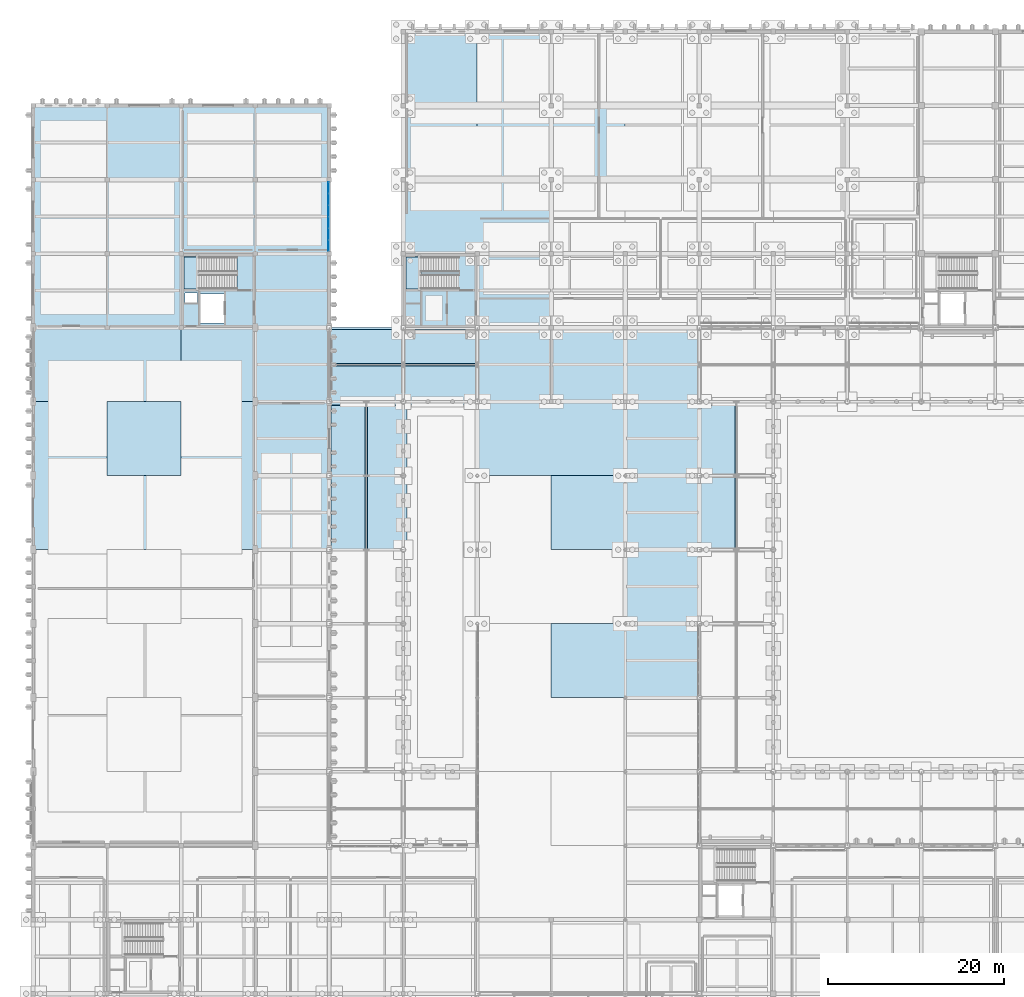
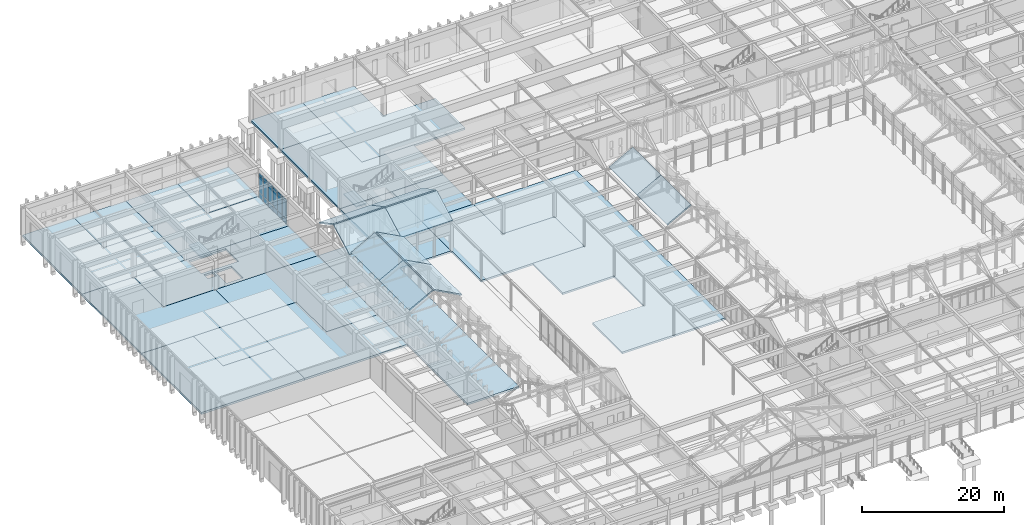
# One storey, part 76 of 143: 30 slabs, 18 plates, 3 elements without a shape of their own.
"""IFC4 building model written with IfcOpenShell, lengths in metres."""

from ifc_helpers import new_model, si_unit, direction, frame, origin, origin_2d, place, context, subcontext, project, spatial, polyline, rectangle, outline, extrude, material, layer, layer_set, type_object, element, aggregate, save


model = new_model("IFC4")

# Units and contexts
model_context = context("Model", 3, precision=1e-05, world=origin(), true_north=direction((0.0, 1.0)))
body_context = subcontext(model_context, "Body", "Model", "MODEL_VIEW")
ifc_project = project(units=[si_unit("LENGTHUNIT", "METRE"), si_unit("AREAUNIT", "SQUARE_METRE"), si_unit("VOLUMEUNIT", "CUBIC_METRE"), si_unit("PLANEANGLEUNIT", "RADIAN"), si_unit("MASSUNIT", "GRAM", prefix="KILO")], contexts=[model_context])

# Site, building, storey
site_placement = place(None, origin())
site = spatial("IfcSite", under=ifc_project, at=site_placement, CompositionType="ELEMENT")
building_placement = place(site_placement, origin())
building = spatial("IfcBuilding", under=site, at=building_placement, Name="Kveldsbrygga Polytechnic", CompositionType="ELEMENT")
storey_placement = place(building_placement, origin())
storey = spatial("IfcBuildingStorey", under=building, at=storey_placement, Name="L00", CompositionType="ELEMENT", Elevation=0.0)

# Curtain wall, plates
ifc_material_1 = material(Name="Anodised aluminium AW-6060", Category="aluminium")
ifc_layer_1 = layer(ifc_material_1, 0.179931640625)
ifc_layer_set_1 = layer_set([ifc_layer_1], Name="Anodised aluminium AW-6060")
curtain_wall_type = type_object("IfcCurtainWallType", Name="CW-CONC-A", PredefinedType="USERDEFINED", material=ifc_layer_set_1)
curtain_wall_placement = place(storey_placement, origin())
curtain_wall = element("IfcCurtainWall", 1, at=curtain_wall_placement, inside=storey, type_object=curtain_wall_type, Name="Curtain Wall CW-L00-Y-04-11", ObjectType="UNITISED CURTAIN WALL", PredefinedType="USERDEFINED")
ifc_material_2 = material(Name="Insulated triple low-E glass", Category="glass")
ifc_layer_2 = layer(ifc_material_2, 0.035888671875)
ifc_layer_set_2 = layer_set([ifc_layer_2], Name="Insulated triple low-E glass")
plate_type = type_object("IfcPlateType", Name="CW-PAN-VIS36", PredefinedType="CURTAIN_PANEL", material=ifc_layer_set_2)
plate_1_placement = place(storey_placement, frame((33.5, 93.31787109375, 0.06005859375), z_axis=(0.0, 0.0, 1.0), x_axis=(0.0, 1.0, 0.0)))
plate_1 = element("IfcPlate", 2, at=plate_1_placement, type_object=plate_type, Name="CW-01 panel 1.1", PredefinedType="CURTAIN_PANEL", context=body_context, shape_type="SweptSolid", body=[
    extrude(rectangle(XDim=1.225830078125, YDim=0.035888671875, at=origin_2d()), origin(), (0.0, 0.0, 1.0), 0.81005859375),
])
plate_2_placement = place(storey_placement, frame((33.5, 93.31787109375, 0.93017578125), z_axis=(0.0, 0.0, 1.0), x_axis=(0.0, 1.0, 0.0)))
plate_2 = element("IfcPlate", 3, at=plate_2_placement, type_object=plate_type, Name="CW-01 panel 1.2", PredefinedType="CURTAIN_PANEL", context=body_context, shape_type="SweptSolid", body=[
    extrude(rectangle(XDim=1.225830078125, YDim=0.035888671875, at=origin_2d()), origin(), (0.0, 0.0, 1.0), 2.840087890625),
])
plate_3_placement = place(storey_placement, frame((33.5, 93.31787109375, 3.830078125), z_axis=(0.0, 0.0, 1.0), x_axis=(0.0, 1.0, 0.0)))
plate_3 = element("IfcPlate", 4, at=plate_3_placement, type_object=plate_type, Name="CW-01 panel 1.3", PredefinedType="CURTAIN_PANEL", context=body_context, shape_type="SweptSolid", body=[
    extrude(rectangle(XDim=1.225830078125, YDim=0.035888671875, at=origin_2d()), origin(), (0.0, 0.0, 1.0), 0.4599609375),
])
plate_4_placement = place(storey_placement, frame((33.5, 94.61865234375, 0.06005859375), z_axis=(0.0, 0.0, 1.0), x_axis=(0.0, 1.0, 0.0)))
plate_4 = element("IfcPlate", 5, at=plate_4_placement, type_object=plate_type, Name="CW-01 panel 2.1", PredefinedType="CURTAIN_PANEL", context=body_context, shape_type="SweptSolid", body=[
    extrude(rectangle(XDim=1.255859375, YDim=0.035888671875, at=origin_2d()), origin(), (0.0, 0.0, 1.0), 0.81005859375),
])
plate_5_placement = place(storey_placement, frame((33.5, 94.61865234375, 0.93017578125), z_axis=(0.0, 0.0, 1.0), x_axis=(0.0, 1.0, 0.0)))
plate_5 = element("IfcPlate", 6, at=plate_5_placement, type_object=plate_type, Name="CW-01 panel 2.2", PredefinedType="CURTAIN_PANEL", context=body_context, shape_type="SweptSolid", body=[
    extrude(rectangle(XDim=1.255859375, YDim=0.035888671875, at=origin_2d()), origin(), (0.0, 0.0, 1.0), 2.840087890625),
])
plate_6_placement = place(storey_placement, frame((33.5, 94.61865234375, 3.830078125), z_axis=(0.0, 0.0, 1.0), x_axis=(0.0, 1.0, 0.0)))
plate_6 = element("IfcPlate", 7, at=plate_6_placement, type_object=plate_type, Name="CW-01 panel 2.3", PredefinedType="CURTAIN_PANEL", context=body_context, shape_type="SweptSolid", body=[
    extrude(rectangle(XDim=1.255859375, YDim=0.035888671875, at=origin_2d()), origin(), (0.0, 0.0, 1.0), 0.4599609375),
])
plate_7_placement = place(storey_placement, frame((33.5, 95.9345703125, 0.06005859375), z_axis=(0.0, 0.0, 1.0), x_axis=(0.0, 1.0, 0.0)))
plate_7 = element("IfcPlate", 8, at=plate_7_placement, type_object=plate_type, Name="CW-01 panel 3.1", PredefinedType="CURTAIN_PANEL", context=body_context, shape_type="SweptSolid", body=[
    extrude(rectangle(XDim=1.255859375, YDim=0.035888671875, at=origin_2d()), origin(), (0.0, 0.0, 1.0), 0.81005859375),
])
plate_8_placement = place(storey_placement, frame((33.5, 95.9345703125, 0.93017578125), z_axis=(0.0, 0.0, 1.0), x_axis=(0.0, 1.0, 0.0)))
plate_8 = element("IfcPlate", 9, at=plate_8_placement, type_object=plate_type, Name="CW-01 panel 3.2", PredefinedType="CURTAIN_PANEL", context=body_context, shape_type="SweptSolid", body=[
    extrude(rectangle(XDim=1.255859375, YDim=0.035888671875, at=origin_2d()), origin(), (0.0, 0.0, 1.0), 2.840087890625),
])
plate_9_placement = place(storey_placement, frame((33.5, 95.9345703125, 3.830078125), z_axis=(0.0, 0.0, 1.0), x_axis=(0.0, 1.0, 0.0)))
plate_9 = element("IfcPlate", 10, at=plate_9_placement, type_object=plate_type, Name="CW-01 panel 3.3", PredefinedType="CURTAIN_PANEL", context=body_context, shape_type="SweptSolid", body=[
    extrude(rectangle(XDim=1.255859375, YDim=0.035888671875, at=origin_2d()), origin(), (0.0, 0.0, 1.0), 0.4599609375),
])
plate_10_placement = place(storey_placement, frame((33.5, 97.25048828125, 0.06005859375), z_axis=(0.0, 0.0, 1.0), x_axis=(0.0, 1.0, 0.0)))
plate_10 = element("IfcPlate", 11, at=plate_10_placement, type_object=plate_type, Name="CW-01 panel 4.1", PredefinedType="CURTAIN_PANEL", context=body_context, shape_type="SweptSolid", body=[
    extrude(rectangle(XDim=1.255859375, YDim=0.035888671875, at=origin_2d()), origin(), (0.0, 0.0, 1.0), 0.81005859375),
])
plate_11_placement = place(storey_placement, frame((33.5, 97.25048828125, 0.93017578125), z_axis=(0.0, 0.0, 1.0), x_axis=(0.0, 1.0, 0.0)))
plate_11 = element("IfcPlate", 12, at=plate_11_placement, type_object=plate_type, Name="CW-01 panel 4.2", PredefinedType="CURTAIN_PANEL", context=body_context, shape_type="SweptSolid", body=[
    extrude(rectangle(XDim=1.255859375, YDim=0.035888671875, at=origin_2d()), origin(), (0.0, 0.0, 1.0), 2.840087890625),
])
plate_12_placement = place(storey_placement, frame((33.5, 97.25048828125, 3.830078125), z_axis=(0.0, 0.0, 1.0), x_axis=(0.0, 1.0, 0.0)))
plate_12 = element("IfcPlate", 13, at=plate_12_placement, type_object=plate_type, Name="CW-01 panel 4.3", PredefinedType="CURTAIN_PANEL", context=body_context, shape_type="SweptSolid", body=[
    extrude(rectangle(XDim=1.255859375, YDim=0.035888671875, at=origin_2d()), origin(), (0.0, 0.0, 1.0), 0.4599609375),
])
plate_13_placement = place(storey_placement, frame((33.5, 98.566162109375, 0.06005859375), z_axis=(0.0, 0.0, 1.0), x_axis=(0.0, 1.0, 0.0)))
plate_13 = element("IfcPlate", 14, at=plate_13_placement, type_object=plate_type, Name="CW-01 panel 5.1", PredefinedType="CURTAIN_PANEL", context=body_context, shape_type="SweptSolid", body=[
    extrude(rectangle(XDim=1.255859375, YDim=0.035888671875, at=origin_2d()), origin(), (0.0, 0.0, 1.0), 0.81005859375),
])
plate_14_placement = place(storey_placement, frame((33.5, 98.566162109375, 0.93017578125), z_axis=(0.0, 0.0, 1.0), x_axis=(0.0, 1.0, 0.0)))
plate_14 = element("IfcPlate", 15, at=plate_14_placement, type_object=plate_type, Name="CW-01 panel 5.2", PredefinedType="CURTAIN_PANEL", context=body_context, shape_type="SweptSolid", body=[
    extrude(rectangle(XDim=1.255859375, YDim=0.035888671875, at=origin_2d()), origin(), (0.0, 0.0, 1.0), 2.840087890625),
])
plate_15_placement = place(storey_placement, frame((33.5, 98.566162109375, 3.830078125), z_axis=(0.0, 0.0, 1.0), x_axis=(0.0, 1.0, 0.0)))
plate_15 = element("IfcPlate", 16, at=plate_15_placement, type_object=plate_type, Name="CW-01 panel 5.3", PredefinedType="CURTAIN_PANEL", context=body_context, shape_type="SweptSolid", body=[
    extrude(rectangle(XDim=1.255859375, YDim=0.035888671875, at=origin_2d()), origin(), (0.0, 0.0, 1.0), 0.4599609375),
])
plate_16_placement = place(storey_placement, frame((33.5, 99.8671875, 0.06005859375), z_axis=(0.0, 0.0, 1.0), x_axis=(0.0, 1.0, 0.0)))
plate_16 = element("IfcPlate", 17, at=plate_16_placement, type_object=plate_type, Name="CW-01 panel 6.1", PredefinedType="CURTAIN_PANEL", context=body_context, shape_type="SweptSolid", body=[
    extrude(rectangle(XDim=1.225830078125, YDim=0.035888671875, at=origin_2d()), origin(), (0.0, 0.0, 1.0), 0.81005859375),
])
plate_17_placement = place(storey_placement, frame((33.5, 99.8671875, 0.93017578125), z_axis=(0.0, 0.0, 1.0), x_axis=(0.0, 1.0, 0.0)))
plate_17 = element("IfcPlate", 18, at=plate_17_placement, type_object=plate_type, Name="CW-01 panel 6.2", PredefinedType="CURTAIN_PANEL", context=body_context, shape_type="SweptSolid", body=[
    extrude(rectangle(XDim=1.225830078125, YDim=0.035888671875, at=origin_2d()), origin(), (0.0, 0.0, 1.0), 2.840087890625),
])
plate_18_placement = place(storey_placement, frame((33.5, 99.8671875, 3.830078125), z_axis=(0.0, 0.0, 1.0), x_axis=(0.0, 1.0, 0.0)))
plate_18 = element("IfcPlate", 19, at=plate_18_placement, type_object=plate_type, Name="CW-01 panel 6.3", PredefinedType="CURTAIN_PANEL", context=body_context, shape_type="SweptSolid", body=[
    extrude(rectangle(XDim=1.225830078125, YDim=0.035888671875, at=origin_2d()), origin(), (0.0, 0.0, 1.0), 0.4599609375),
])
aggregate(curtain_wall, [plate_1, plate_2, plate_3, plate_4, plate_5, plate_6, plate_7, plate_8, plate_9, plate_10, plate_11, plate_12, plate_13, plate_14, plate_15, plate_16, plate_17, plate_18])

# Slabs
ifc_material_3 = material(Name="Concrete C35/45", Category="concrete")
ifc_layer_3 = layer(ifc_material_3, 0.52001953125)
ifc_layer_set_3 = layer_set([ifc_layer_3], Name="Concrete C35/45")
slab_type_1 = type_object("IfcSlabType", Name="SLB-CORE-520", PredefinedType="BASESLAB", material=ifc_layer_set_3)
slab_1_placement = place(storey_placement, frame((0.0, 0.0, -0.52001953125)))
element("IfcSlab", 20, at=slab_1_placement, inside=storey, type_object=slab_type_1, Name="Core C7 Transfer Mat Slab SLB-L00-C7-MAT", PredefinedType="BASESLAB", context=body_context, shape_type="SweptSolid", body=[
    extrude(outline(polyline([(42.0, 84.0), (50.39990234375, 84.0), (50.39990234375, 92.39990234375), (42.0, 92.39990234375), (42.0, 84.0)])), origin(), (0.0, 0.0, 1.0), 0.52001953125),
])
ifc_layer_4 = layer(ifc_material_3, 0.320068359375)
ifc_layer_set_4 = layer_set([ifc_layer_4], Name="Concrete C35/45")
slab_type_2 = type_object("IfcSlabType", Name="SLB-GND-320", PredefinedType="FLOOR", material=ifc_layer_set_4)
slab_2_placement = place(storey_placement, frame((0.0, 0.0, -0.320068359375)))
element("IfcSlab", 21, at=slab_2_placement, inside=storey, type_object=slab_type_2, Name="Slab SLB-L00-V2-L01-1", PredefinedType="FLOOR", context=body_context, shape_type="SweptSolid", body=[
    extrude(outline(polyline([(42.0, 92.39990234375), (42.0, 100.800048828125), (42.0, 109.199951171875), (50.39990234375, 109.199951171875), (50.39990234375, 100.800048828125), (58.800048828125, 100.800048828125), (58.800048828125, 92.39990234375), (50.39990234375, 92.39990234375), (42.0, 92.39990234375)])), origin(), (0.0, 0.0, 1.0), 0.320068359375),
])
slab_3_placement = place(storey_placement, frame((0.0, 0.0, -0.320068359375)))
element("IfcSlab", 22, at=slab_3_placement, inside=storey, type_object=slab_type_2, Name="Slab SLB-L00-V2-L02-1", PredefinedType="FLOOR", context=body_context, shape_type="SweptSolid", body=[
    extrude(outline(polyline([(50.39990234375, 100.800048828125), (50.39990234375, 109.199951171875), (50.39990234375, 117.60009765625), (58.800048828125, 117.60009765625), (58.800048828125, 109.199951171875), (67.199951171875, 109.199951171875), (67.199951171875, 100.800048828125), (58.800048828125, 100.800048828125), (50.39990234375, 100.800048828125)])), origin(), (0.0, 0.0, 1.0), 0.320068359375),
])
slab_4_placement = place(storey_placement, frame((0.0, 0.0, -0.320068359375)))
element("IfcSlab", 23, at=slab_4_placement, inside=storey, type_object=slab_type_2, Name="Slab SLB-L00-V2-Z7-1", PredefinedType="FLOOR", context=body_context, shape_type="SweptSolid", body=[
    extrude(outline(polyline([(50.39990234375, 84.0), (50.39990234375, 92.39990234375), (58.800048828125, 92.39990234375), (58.800048828125, 84.0), (50.39990234375, 84.0)])), origin(), (0.0, 0.0, 1.0), 0.320068359375),
])
slab_5_placement = place(storey_placement, frame((0.0, 0.0, -0.320068359375)))
element("IfcSlab", 24, at=slab_5_placement, inside=storey, type_object=slab_type_2, Name="Slab SLB-L00-V2-Z7-2", PredefinedType="FLOOR", context=body_context, shape_type="SweptSolid", body=[
    extrude(outline(polyline([(42.0, 109.199951171875), (42.0, 117.60009765625), (50.39990234375, 117.60009765625), (50.39990234375, 109.199951171875), (42.0, 109.199951171875)])), origin(), (0.0, 0.0, 1.0), 0.320068359375),
])
slab_6_placement = place(storey_placement, frame((0.0, 0.0, -0.320068359375)))
element("IfcSlab", 25, at=slab_6_placement, inside=storey, type_object=slab_type_2, Name="Slab SLB-L00-V5-ARC-Z4-1", PredefinedType="FLOOR", context=body_context, shape_type="SweptSolid", body=[
    extrude(outline(polyline([(33.60009765625, 42.0), (33.60009765625, 50.39990234375), (33.60009765625, 58.800048828125), (33.60009765625, 67.199951171875), (33.60009765625, 75.60009765625), (33.60009765625, 84.0), (42.0, 84.0), (50.39990234375, 84.0), (50.39990234375, 75.60009765625), (42.0, 75.60009765625), (42.0, 67.199951171875), (42.0, 58.800048828125), (42.0, 50.39990234375), (42.0, 42.0), (33.60009765625, 42.0)])), origin(), (0.0, 0.0, 1.0), 0.320068359375),
])
slab_7_placement = place(storey_placement, frame((0.0, 0.0, -0.320068359375)))
element("IfcSlab", 26, at=slab_7_placement, inside=storey, type_object=slab_type_2, Name="Slab SLB-L00-V5-CONC-L05-1", PredefinedType="FLOOR", context=body_context, shape_type="SweptSolid", body=[
    extrude(outline(polyline([(50.39990234375, 67.199951171875), (50.39990234375, 75.60009765625), (50.39990234375, 84.0), (58.800048828125, 84.0), (58.800048828125, 75.60009765625), (67.199951171875, 75.60009765625), (67.199951171875, 67.199951171875), (58.800048828125, 67.199951171875), (50.39990234375, 67.199951171875)])), origin(), (0.0, 0.0, 1.0), 0.320068359375),
])
slab_8_placement = place(storey_placement, frame((0.0, 0.0, -0.320068359375)))
element("IfcSlab", 27, at=slab_8_placement, inside=storey, type_object=slab_type_2, Name="Slab SLB-L00-V5-CONC-Z5-1", PredefinedType="FLOOR", context=body_context, shape_type="SweptSolid", body=[
    extrude(outline(polyline([(67.199951171875, 50.39990234375), (67.199951171875, 58.800048828125), (58.800048828125, 58.800048828125), (58.800048828125, 67.199951171875), (67.199951171875, 67.199951171875), (67.199951171875, 75.60009765625), (58.800048828125, 75.60009765625), (58.800048828125, 84.0), (67.199951171875, 84.0), (75.60009765625, 84.0), (75.60009765625, 75.60009765625), (75.60009765625, 67.199951171875), (75.60009765625, 58.800048828125), (75.60009765625, 50.39990234375), (75.60009765625, 42.0), (67.199951171875, 42.0), (58.800048828125, 42.0), (58.800048828125, 50.39990234375), (67.199951171875, 50.39990234375)])), origin(), (0.0, 0.0, 1.0), 0.320068359375),
])

# Stair, slab
stair_type = type_object("IfcStairType", Name="STR-CORE-544", PredefinedType="HALF_TURN_STAIR", material=ifc_material_3)
stair_1_placement = place(storey_placement, origin())
stair_1 = element("IfcStair", 28, at=stair_1_placement, inside=storey, type_object=stair_type, Name="L00 Core C7 Escape Stair ST-7", PredefinedType="HALF_TURN_STAIR")
ifc_layer_5 = layer(ifc_material_3, 0.199951171875)
ifc_layer_set_5 = layer_set([ifc_layer_5], Name="Concrete C35/45")
slab_type_3 = type_object("IfcSlabType", Name="SLB-LANDING-200", PredefinedType="LANDING", material=ifc_layer_set_5)
slab_9_placement = place(storey_placement, frame((0.0, 0.0, 2.52001953125)))
slab_9 = element("IfcSlab", 29, at=slab_9_placement, type_object=slab_type_3, Name="ST-7 landing 1", PredefinedType="LANDING", context=body_context, shape_type="SweptSolid", body=[
    extrude(outline(polyline([(44.0, 92.0), (42.300048828125, 92.0), (42.300048828125, 88.39990234375), (44.0, 88.39990234375), (44.0, 92.0)])), origin(), (0.0, 0.0, 1.0), 0.199951171875),
])
aggregate(stair_1, [slab_9])

stair_2_placement = place(storey_placement, origin())
stair_2 = element("IfcStair", 30, at=stair_2_placement, inside=storey, type_object=stair_type, Name="L00 Core C8 Escape Stair ST-8", PredefinedType="HALF_TURN_STAIR")
slab_10_placement = place(storey_placement, frame((0.0, 0.0, 2.52001953125)))
slab_10 = element("IfcSlab", 31, at=slab_10_placement, type_object=slab_type_3, Name="ST-8 landing 1", PredefinedType="LANDING", context=body_context, shape_type="SweptSolid", body=[
    extrude(outline(polyline([(18.800048828125, 92.0), (17.10009765625, 92.0), (17.10009765625, 88.39990234375), (18.800048828125, 88.39990234375), (18.800048828125, 92.0)])), origin(), (0.0, 0.0, 1.0), 0.199951171875),
])
aggregate(stair_2, [slab_10])

# Slabs
ifc_layer_6 = layer(ifc_material_3, 0.219970703125)
ifc_layer_set_6 = layer_set([ifc_layer_6], Name="Concrete C35/45")
slab_type_4 = type_object("IfcSlabType", Name="SLB-ROOF-220", PredefinedType="ROOF", material=ifc_layer_set_6)
slab_11_placement = place(storey_placement, frame((33.60009765625, 75.199951171875, 5.521240234375), z_axis=(0.0, -0.472229417678, 0.881475681502), x_axis=(1.0, 0.0, 0.0)))
element("IfcSlab", 32, at=slab_11_placement, inside=storey, type_object=slab_type_4, Name="Pitched Roof Slab ARC-WN-RSLB-1-1", PredefinedType="ROOF", context=body_context, shape_type="SweptSolid", body=[
    extrude(outline(polyline([(0.0, 0.0), (8.39990234375, 0.0), (8.39990234375, 5.077932735618123), (0.0, 5.077932735618123), (0.0, 0.0)])), origin(), (0.0, 0.0, -1.0), 0.219970703125),
])
slab_12_placement = place(storey_placement, frame((33.60009765625, 79.923828125, 7.919189453125), z_axis=(0.0, 0.472201486297, 0.881490644499), x_axis=(1.0, 0.0, 0.0)))
element("IfcSlab", 33, at=slab_12_placement, inside=storey, type_object=slab_type_4, Name="Pitched Roof Slab ARC-WN-RSLB-1-2", PredefinedType="ROOF", context=body_context, shape_type="SweptSolid", body=[
    extrude(outline(polyline([(0.0, 0.0), (8.39990234375, 0.0), (8.39990234375, 4.420058520973962), (0.0, 4.420058520973962), (0.0, 0.0)])), origin(), (0.0, 0.0, -1.0), 0.219970703125),
])
slab_13_placement = place(storey_placement, frame((42.0, 75.199951171875, 5.521240234375), z_axis=(0.0, -0.472229417678, 0.881475681502), x_axis=(1.0, 0.0, 0.0)))
element("IfcSlab", 34, at=slab_13_placement, inside=storey, type_object=slab_type_4, Name="Pitched Roof Slab ARC-WN-RSLB-2-1", PredefinedType="ROOF", context=body_context, shape_type="SweptSolid", body=[
    extrude(outline(polyline([(0.0, 0.0), (8.39990234375, 0.0), (8.39990234375, 5.077932735618123), (0.0, 5.077932735618123), (0.0, 0.0)])), origin(), (0.0, 0.0, -1.0), 0.219970703125),
])
slab_14_placement = place(storey_placement, frame((42.0, 79.923828125, 7.919189453125), z_axis=(0.0, 0.472201486297, 0.881490644499), x_axis=(1.0, 0.0, 0.0)))
element("IfcSlab", 35, at=slab_14_placement, inside=storey, type_object=slab_type_4, Name="Pitched Roof Slab ARC-WN-RSLB-2-2", PredefinedType="ROOF", context=body_context, shape_type="SweptSolid", body=[
    extrude(outline(polyline([(0.0, 0.0), (8.39990234375, 0.0), (8.39990234375, 4.420058520973962), (0.0, 4.420058520973962), (0.0, 0.0)])), origin(), (0.0, 0.0, -1.0), 0.219970703125),
])
slab_15_placement = place(storey_placement, frame((33.780029296875, 58.800048828125, 5.83203125), z_axis=(-0.472224478215, 0.0, 0.881478327683), x_axis=(0.881478327683, 0.0, 0.472224478215)))
element("IfcSlab", 36, at=slab_15_placement, inside=storey, type_object=slab_type_4, Name="Pitched Roof Slab ARC-WW-RSLB-4-1", PredefinedType="ROOF", context=body_context, shape_type="SweptSolid", body=[
    extrude(outline(polyline([(0.0, 0.0), (4.4198433148005645, 0.0), (4.4198433148005645, 8.39990234375), (0.0, 8.39990234375), (0.0, 0.0)])), origin(), (0.0, 0.0, -1.0), 0.219970703125),
])
slab_16_placement = place(storey_placement, frame((37.923828125, 58.800048828125, 7.919189453125), z_axis=(0.472229417678, 0.0, 0.881475681502), x_axis=(0.881475681502, 0.0, -0.472229417678)))
element("IfcSlab", 37, at=slab_16_placement, inside=storey, type_object=slab_type_4, Name="Pitched Roof Slab ARC-WW-RSLB-4-2", PredefinedType="ROOF", context=body_context, shape_type="SweptSolid", body=[
    extrude(outline(polyline([(0.0, 0.0), (5.077932735618123, 0.0), (5.077932735618123, 8.39990234375), (0.0, 8.39990234375), (0.0, 0.0)])), origin(), (0.0, 0.0, -1.0), 0.219970703125),
])
slab_17_placement = place(storey_placement, frame((33.780029296875, 67.199951171875, 5.83203125), z_axis=(-0.472224478215, 0.0, 0.881478327683), x_axis=(0.881478327683, 0.0, 0.472224478215)))
element("IfcSlab", 38, at=slab_17_placement, inside=storey, type_object=slab_type_4, Name="Pitched Roof Slab ARC-WW-RSLB-5-1", PredefinedType="ROOF", context=body_context, shape_type="SweptSolid", body=[
    extrude(outline(polyline([(0.0, 0.0), (4.4198433148005645, 0.0), (4.4198433148005645, 7.939941406250002), (0.0, 7.939941406250002), (0.0, 0.0)])), origin(), (0.0, 0.0, -1.0), 0.219970703125),
])
slab_18_placement = place(storey_placement, frame((37.923828125, 67.199951171875, 7.919189453125), z_axis=(0.472229417678, 0.0, 0.881475681502), x_axis=(0.881475681502, 0.0, -0.472229417678)))
element("IfcSlab", 39, at=slab_18_placement, inside=storey, type_object=slab_type_4, Name="Pitched Roof Slab ARC-WW-RSLB-5-2", PredefinedType="ROOF", context=body_context, shape_type="SweptSolid", body=[
    extrude(outline(polyline([(0.0, 0.0), (5.077932735618123, 0.0), (5.077932735618123, 7.93994140625), (0.0, 7.93994140625), (0.0, 0.0)])), origin(), (0.0, 0.0, -1.0), 0.219970703125),
])
slab_19_placement = place(storey_placement, frame((75.780029296875, 58.800048828125, 5.83203125), z_axis=(-0.472224478215, 0.0, 0.881478327683), x_axis=(0.881478327683, 0.0, 0.472224478215)))
element("IfcSlab", 40, at=slab_19_placement, inside=storey, type_object=slab_type_4, Name="Pitched Roof Slab ARC-EW-RSLB-4-1", PredefinedType="ROOF", context=body_context, shape_type="SweptSolid", body=[
    extrude(outline(polyline([(0.0, 0.0), (4.4198433148005645, 0.0), (4.4198433148005645, 8.39990234375), (0.0, 8.39990234375), (0.0, 0.0)])), origin(), (0.0, 0.0, -1.0), 0.219970703125),
])
slab_20_placement = place(storey_placement, frame((75.780029296875, 67.199951171875, 5.83203125), z_axis=(-0.472224478215, 0.0, 0.881478327683), x_axis=(0.881478327683, 0.0, 0.472224478215)))
element("IfcSlab", 41, at=slab_20_placement, inside=storey, type_object=slab_type_4, Name="Pitched Roof Slab ARC-EW-RSLB-5-1", PredefinedType="ROOF", context=body_context, shape_type="SweptSolid", body=[
    extrude(outline(polyline([(0.0, 0.0), (4.4198433148005645, 0.0), (4.4198433148005645, 7.939941406250002), (0.0, 7.939941406250002), (0.0, 0.0)])), origin(), (0.0, 0.0, -1.0), 0.219970703125),
])
ifc_layer_7 = layer(ifc_material_3, 0.340087890625)
ifc_layer_set_7 = layer_set([ifc_layer_7], Name="Concrete C35/45")
slab_type_5 = type_object("IfcSlabType", Name="SLB-WORK-340", PredefinedType="FLOOR", material=ifc_layer_set_7)
slab_21_placement = place(storey_placement, frame((0.0, 0.0, -0.340087890625)))
element("IfcSlab", 42, at=slab_21_placement, inside=storey, type_object=slab_type_5, Name="Slab SLB-L00-V1-L03-1", PredefinedType="FLOOR", context=body_context, shape_type="SweptSolid", body=[
    extrude(outline(polyline([(0.0, 58.800048828125), (0.0, 67.199951171875), (0.0, 75.60009765625), (8.39990234375, 75.60009765625), (8.39990234375, 67.199951171875), (16.800048828125, 67.199951171875), (16.800048828125, 58.800048828125), (8.39990234375, 58.800048828125), (0.0, 58.800048828125)])), origin(), (0.0, 0.0, 1.0), 0.340087890625),
])
slab_22_placement = place(storey_placement, frame((0.0, 0.0, -0.340087890625)))
element("IfcSlab", 43, at=slab_22_placement, inside=storey, type_object=slab_type_5, Name="Slab SLB-L00-V1-L04-1", PredefinedType="FLOOR", context=body_context, shape_type="SweptSolid", body=[
    extrude(outline(polyline([(0.0, 75.60009765625), (0.0, 84.0), (0.0, 92.39990234375), (8.39990234375, 92.39990234375), (8.39990234375, 84.0), (16.800048828125, 84.0), (16.800048828125, 75.60009765625), (8.39990234375, 75.60009765625), (0.0, 75.60009765625)])), origin(), (0.0, 0.0, 1.0), 0.340087890625),
])
slab_23_placement = place(storey_placement, frame((0.0, 0.0, -0.340087890625)))
element("IfcSlab", 44, at=slab_23_placement, inside=storey, type_object=slab_type_5, Name="Slab SLB-L00-V1-L05-1", PredefinedType="FLOOR", context=body_context, shape_type="SweptSolid", body=[
    extrude(outline(polyline([(0.0, 92.39990234375), (0.0, 100.800048828125), (0.0, 109.199951171875), (8.39990234375, 109.199951171875), (8.39990234375, 100.800048828125), (16.800048828125, 100.800048828125), (16.800048828125, 92.39990234375), (8.39990234375, 92.39990234375), (0.0, 92.39990234375)])), origin(), (0.0, 0.0, 1.0), 0.340087890625),
])
slab_24_placement = place(storey_placement, frame((0.0, 0.0, -0.340087890625)))
element("IfcSlab", 45, at=slab_24_placement, inside=storey, type_object=slab_type_5, Name="Slab SLB-L00-V1-L08-1", PredefinedType="FLOOR", context=body_context, shape_type="SweptSolid", body=[
    extrude(outline(polyline([(16.800048828125, 58.800048828125), (16.800048828125, 67.199951171875), (16.800048828125, 75.60009765625), (25.199951171875, 75.60009765625), (25.199951171875, 67.199951171875), (33.60009765625, 67.199951171875), (33.60009765625, 58.800048828125), (25.199951171875, 58.800048828125), (16.800048828125, 58.800048828125)])), origin(), (0.0, 0.0, 1.0), 0.340087890625),
])
slab_25_placement = place(storey_placement, frame((0.0, 0.0, -0.340087890625)))
element("IfcSlab", 46, at=slab_25_placement, inside=storey, type_object=slab_type_5, Name="Slab SLB-L00-V1-L09-1", PredefinedType="FLOOR", context=body_context, shape_type="SweptSolid", body=[
    extrude(outline(polyline([(16.800048828125, 92.39990234375), (16.800048828125, 100.800048828125), (16.800048828125, 109.199951171875), (25.199951171875, 109.199951171875), (25.199951171875, 100.800048828125), (33.60009765625, 100.800048828125), (33.60009765625, 92.39990234375), (25.199951171875, 92.39990234375), (16.800048828125, 92.39990234375)])), origin(), (0.0, 0.0, 1.0), 0.340087890625),
])
slab_26_placement = place(storey_placement, frame((0.0, 0.0, -0.340087890625)))
element("IfcSlab", 47, at=slab_26_placement, inside=storey, type_object=slab_type_5, Name="Slab SLB-L00-V1-Z4-3", PredefinedType="FLOOR", context=body_context, shape_type="SweptSolid", body=[
    extrude(outline(polyline([(16.800048828125, 75.60009765625), (16.800048828125, 67.199951171875), (8.39990234375, 67.199951171875), (8.39990234375, 75.60009765625), (16.800048828125, 75.60009765625)])), origin(), (0.0, 0.0, 1.0), 0.340087890625),
])
slab_27_placement = place(storey_placement, frame((0.0, 0.0, -0.340087890625)))
element("IfcSlab", 48, at=slab_27_placement, inside=storey, type_object=slab_type_5, Name="Slab SLB-L00-V1-Z4-4", PredefinedType="FLOOR", context=body_context, shape_type="SweptSolid", body=[
    extrude(outline(polyline([(25.199951171875, 67.199951171875), (25.199951171875, 75.60009765625), (16.800048828125, 75.60009765625), (16.800048828125, 84.0), (25.199951171875, 84.0), (33.60009765625, 84.0), (33.60009765625, 75.60009765625), (33.60009765625, 67.199951171875), (25.199951171875, 67.199951171875)])), origin(), (0.0, 0.0, 1.0), 0.340087890625),
])
slab_28_placement = place(storey_placement, frame((0.0, 0.0, -0.340087890625)))
element("IfcSlab", 49, at=slab_28_placement, inside=storey, type_object=slab_type_5, Name="Slab SLB-L00-V1-Z7-1", PredefinedType="FLOOR", context=body_context, shape_type="SweptSolid", body=[
    extrude(outline(polyline([(8.39990234375, 92.39990234375), (16.800048828125, 92.39990234375), (25.199951171875, 92.39990234375), (33.60009765625, 92.39990234375), (33.60009765625, 84.0), (25.199951171875, 84.0), (16.800048828125, 84.0), (8.39990234375, 84.0), (8.39990234375, 92.39990234375)]), holes=[polyline([(23.125, 92.0), (17.10009765625, 92.0), (17.10009765625, 88.39990234375), (23.125, 88.39990234375), (23.125, 92.0)]), polyline([(18.949951171875, 84.550048828125), (21.64990234375, 84.550048828125), (21.64990234375, 87.85009765625), (18.949951171875, 87.85009765625), (18.949951171875, 84.550048828125)]), polyline([(17.25, 86.85009765625), (18.64990234375, 86.85009765625), (18.64990234375, 87.949951171875), (17.25, 87.949951171875), (17.25, 86.85009765625)])]), origin(), (0.0, 0.0, 1.0), 0.340087890625),
])
slab_29_placement = place(storey_placement, frame((0.0, 0.0, -0.340087890625)))
element("IfcSlab", 50, at=slab_29_placement, inside=storey, type_object=slab_type_5, Name="Slab SLB-L00-V1-Z7-2", PredefinedType="FLOOR", context=body_context, shape_type="SweptSolid", body=[
    extrude(outline(polyline([(16.800048828125, 109.199951171875), (16.800048828125, 100.800048828125), (8.39990234375, 100.800048828125), (8.39990234375, 109.199951171875), (16.800048828125, 109.199951171875)])), origin(), (0.0, 0.0, 1.0), 0.340087890625),
])
slab_30_placement = place(storey_placement, frame((0.0, 0.0, -0.340087890625)))
element("IfcSlab", 51, at=slab_30_placement, inside=storey, type_object=slab_type_5, Name="Slab SLB-L00-V1-Z7-3", PredefinedType="FLOOR", context=body_context, shape_type="SweptSolid", body=[
    extrude(outline(polyline([(33.60009765625, 109.199951171875), (33.60009765625, 100.800048828125), (25.199951171875, 100.800048828125), (25.199951171875, 109.199951171875), (33.60009765625, 109.199951171875)])), origin(), (0.0, 0.0, 1.0), 0.340087890625),
])

save(model, "model.ifc")
